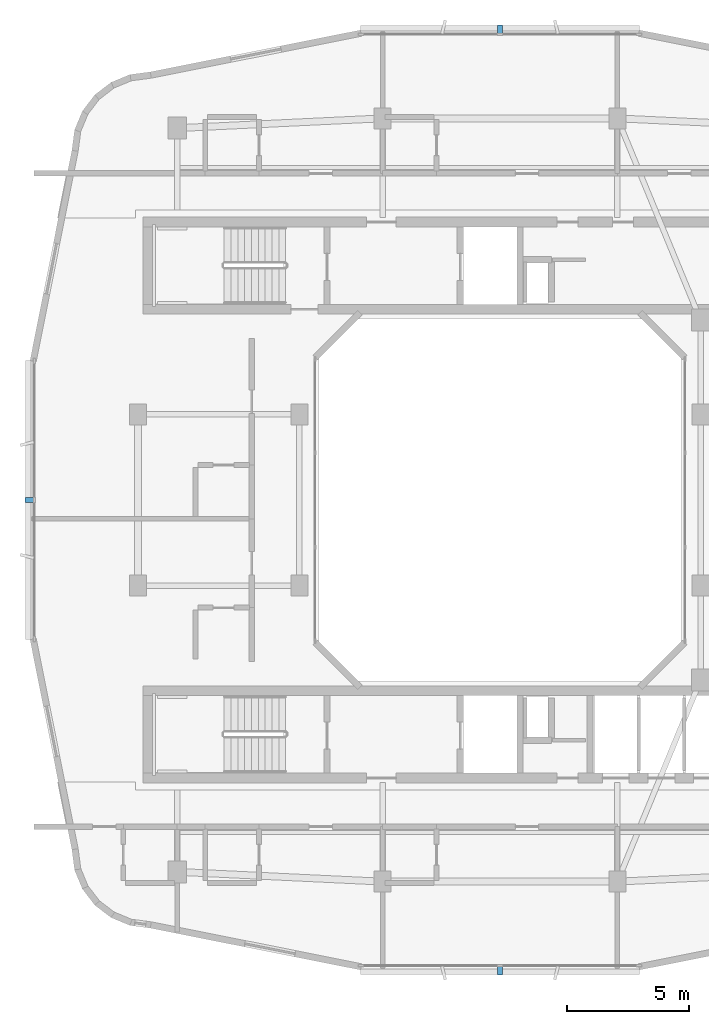
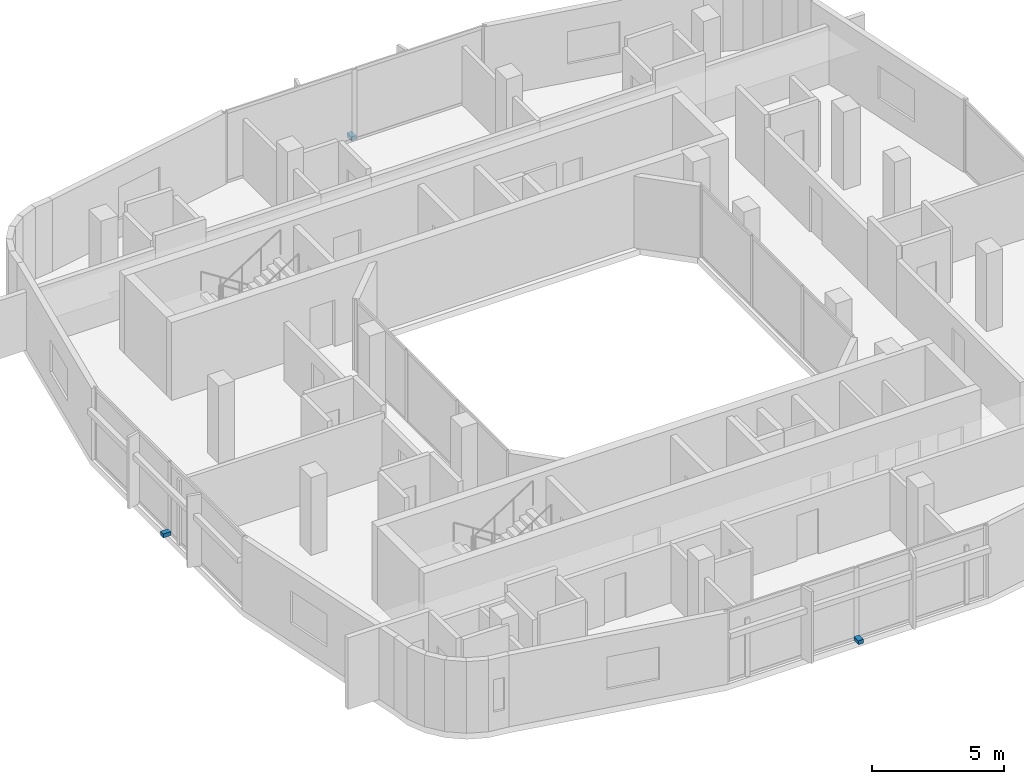
# One storey, part 10 of 14: 3 discrete accessories.
"""IFC4 building model written with IfcOpenShell, lengths in metres."""

from ifc_helpers import new_model, si_unit, derived_unit, direction, frame, origin, origin_2d, place, context, subcontext, project, spatial, rectangle, extrude, material, type_object, element, save


model = new_model("IFC4")

# Units and contexts
model_context = context("Model", 3, precision=1e-05, world=origin(), true_north=direction((0.0, 1.0)))
body_context = subcontext(model_context, "Body", "Model", "MODEL_VIEW")
ifc_project = project(units=[si_unit("LENGTHUNIT", "METRE"), si_unit("AREAUNIT", "SQUARE_METRE"), si_unit("VOLUMEUNIT", "CUBIC_METRE"), si_unit("PLANEANGLEUNIT", "RADIAN"), si_unit("MASSUNIT", "GRAM", prefix="KILO"), derived_unit("THERMALTRANSMITTANCEUNIT", [(si_unit("POWERUNIT", "WATT"), 1), (si_unit("LENGTHUNIT", "METRE"), -2), (si_unit("THERMODYNAMICTEMPERATUREUNIT", "KELVIN"), -1)])], contexts=[model_context])

# Site, building, storey
site_placement = place(None, origin())
site = spatial("IfcSite", under=ifc_project, at=site_placement, CompositionType="ELEMENT")
building_placement = place(site_placement, origin())
building = spatial("IfcBuilding", under=site, at=building_placement, Name="Kivonza Crest Hotel", CompositionType="ELEMENT")
storey_placement = place(building_placement, frame((0.0, 0.0, 217.10009765625)))
storey = spatial("IfcBuildingStorey", under=building, at=storey_placement, Name="L59", CompositionType="ELEMENT", Elevation=217.10009765625)

# Discrete accessories
ifc_material = material(Name="Stainless steel 316", Category="steel")
discrete_accessory_type = type_object("IfcDiscreteAccessoryType", Name="AC-BRACKET-240", PredefinedType="BRACKET", material=ifc_material)
for number, where, z_axis, x_axis, name in (
    (1, (21.0, 5.760009765625, -0.01025390625), (0.0, 0.0, 1.0), (1.0, 0.0, 0.0), "L59 terracotta baguette support bracket CW-T1-L59-08"),
    (2, (21.0, 44.239990234375, -0.01025390625), (0.0, 0.0, 1.0), (-1.0, 0.0, 0.0), "L59 terracotta baguette support bracket CW-T1-L59-26"),
    (3, (1.760009765625, 25.0, -0.01025390625), (0.0, 0.0, 1.0), (0.0, -1.0, 0.0), "L59 terracotta baguette support bracket CW-T1-L59-35"),
):
    element("IfcDiscreteAccessory", number, at=place(storey_placement, frame(where, z_axis=z_axis, x_axis=x_axis)), inside=storey, type_object=discrete_accessory_type, Name=name, PredefinedType="BRACKET", context=body_context, shape_type="SweptSolid", body=[
        extrude(rectangle(XDim=0.219970703125, YDim=0.340087890625, at=origin_2d()), origin(), (0.0, 0.0, 1.0), 0.179931640625),
    ])

save(model, "model.ifc")
